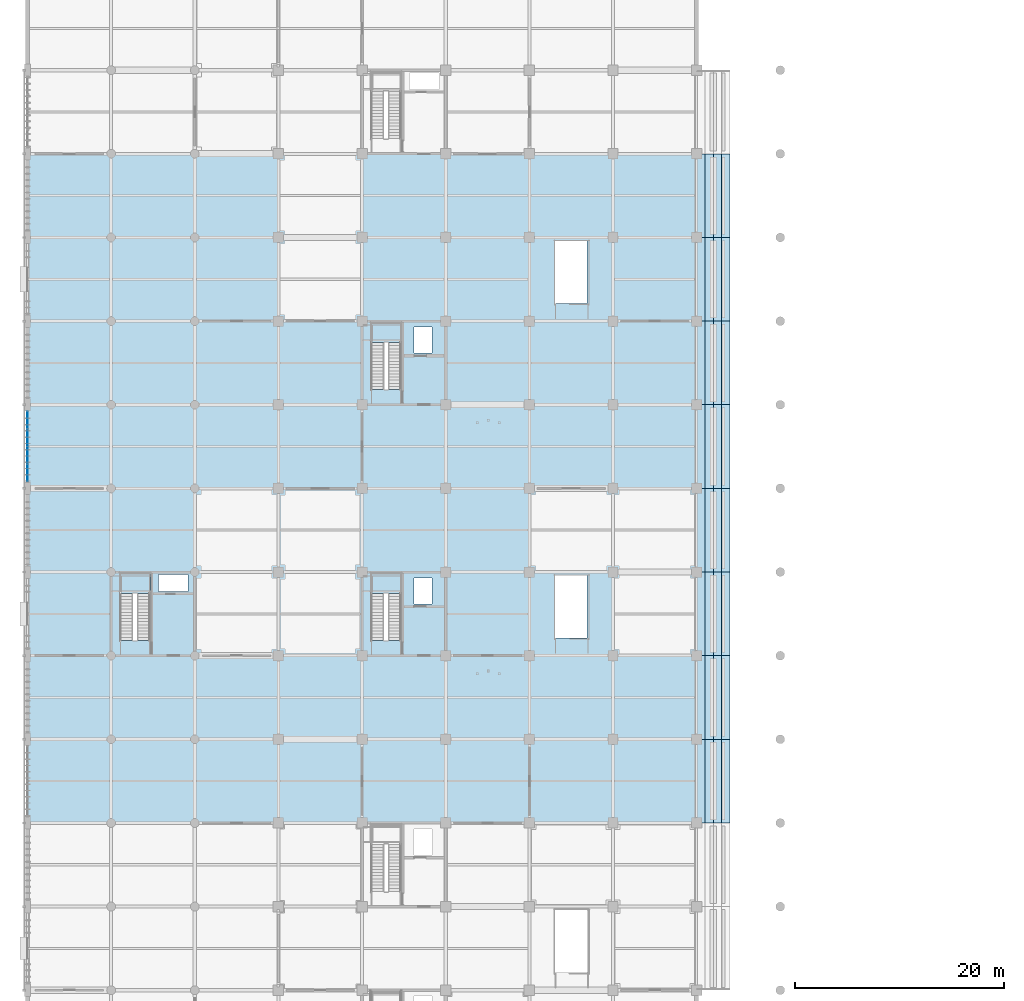
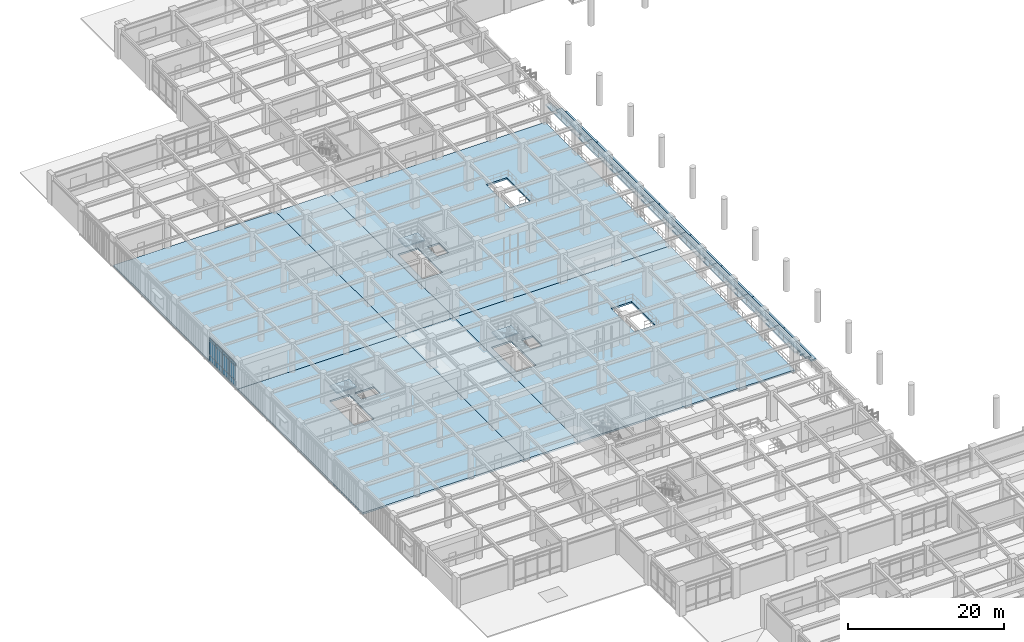
# One storey, part 60 of 117: 41 slabs, 12 plates, 4 elements without a shape of their own.
"""IFC4 building model written with IfcOpenShell, lengths in metres."""

from ifc_helpers import new_model, si_unit, direction, frame, origin, origin_2d, place, context, subcontext, project, spatial, polyline, rectangle, outline, extrude, material, layer, layer_set, type_object, element, aggregate, save


model = new_model("IFC4")

# Units and contexts
model_context = context("Model", 3, precision=1e-05, world=origin(), true_north=direction((0.0, 1.0)))
body_context = subcontext(model_context, "Body", "Model", "MODEL_VIEW")
ifc_project = project(units=[si_unit("LENGTHUNIT", "METRE"), si_unit("AREAUNIT", "SQUARE_METRE"), si_unit("VOLUMEUNIT", "CUBIC_METRE"), si_unit("PLANEANGLEUNIT", "RADIAN"), si_unit("MASSUNIT", "GRAM", prefix="KILO")], contexts=[model_context])

# Site, building, storey
site_placement = place(None, origin())
site = spatial("IfcSite", under=ifc_project, at=site_placement, CompositionType="ELEMENT")
building_placement = place(site_placement, origin())
building = spatial("IfcBuilding", under=site, at=building_placement, Name="Haebicheon Civic Stadium", CompositionType="ELEMENT")
storey_placement = place(building_placement, frame((0.0, 0.0, 4.800048828125)))
storey = spatial("IfcBuildingStorey", under=building, at=storey_placement, Name="L02", CompositionType="ELEMENT", Elevation=4.800048828125)

# Curtain wall, plates
ifc_material_1 = material(Name="Anodised aluminium and laminated glass", Category="aluminium")
ifc_layer_1 = layer(ifc_material_1, 0.179931640625, Name="Anodised aluminium and laminated glass")
ifc_layer_set_1 = layer_set([ifc_layer_1], Name="Anodised aluminium and laminated glass")
curtain_wall_type = type_object("IfcCurtainWallType", Name="CW-6800x3670", PredefinedType="NOTDEFINED", material=ifc_layer_set_1)
curtain_wall_placement = place(storey_placement, origin())
curtain_wall = element("IfcCurtainWall", 1, at=curtain_wall_placement, inside=storey, type_object=curtain_wall_type, material=ifc_layer_set_1, Name="L02 unitised curtain wall 031", PredefinedType="NOTDEFINED")
ifc_material_2 = material(Name="Double low-e laminated glass", Category="glass")
ifc_layer_2 = layer(ifc_material_2, 0.028076171875, Name="Double low-e laminated glass")
ifc_layer_set_2 = layer_set([ifc_layer_2], Name="Double low-e laminated glass")
plate_type_1 = type_object("IfcPlateType", Name="CWP-GLZ-28", PredefinedType="CURTAIN_PANEL", material=ifc_layer_set_2)
plate_1_placement = place(storey_placement, frame((0.0, 97.468017578125, 0.93505859375), z_axis=(0.0, 0.0, 1.0), x_axis=(0.0, 1.0, 0.0)))
plate_1 = element("IfcPlate", 2, at=plate_1_placement, type_object=plate_type_1, material=ifc_layer_set_2, Name="CW-L02-031 vision panel 1.2", PredefinedType="CURTAIN_PANEL", context=body_context, shape_type="SweptSolid", body=[
    extrude(rectangle(XDim=1.594970703125, YDim=0.028076171875, at=origin_2d()), origin(), (0.0, 0.0, 1.0), 2.14990234375),
])
plate_2_placement = place(storey_placement, frame((0.0, 99.14990234375, 0.93505859375), z_axis=(0.0, 0.0, 1.0), x_axis=(0.0, 1.0, 0.0)))
plate_2 = element("IfcPlate", 3, at=plate_2_placement, type_object=plate_type_1, material=ifc_layer_set_2, Name="CW-L02-031 vision panel 2.2", PredefinedType="CURTAIN_PANEL", context=body_context, shape_type="SweptSolid", body=[
    extrude(rectangle(XDim=1.6298828125, YDim=0.028076171875, at=origin_2d()), origin(), (0.0, 0.0, 1.0), 2.14990234375),
])
plate_3_placement = place(storey_placement, frame((0.0, 100.85009765625, 0.93505859375), z_axis=(0.0, 0.0, 1.0), x_axis=(0.0, 1.0, 0.0)))
plate_3 = element("IfcPlate", 4, at=plate_3_placement, type_object=plate_type_1, material=ifc_layer_set_2, Name="CW-L02-031 vision panel 3.2", PredefinedType="CURTAIN_PANEL", context=body_context, shape_type="SweptSolid", body=[
    extrude(rectangle(XDim=1.6298828125, YDim=0.028076171875, at=origin_2d()), origin(), (0.0, 0.0, 1.0), 2.14990234375),
])
plate_4_placement = place(storey_placement, frame((0.0, 102.531982421875, 0.93505859375), z_axis=(0.0, 0.0, 1.0), x_axis=(0.0, 1.0, 0.0)))
plate_4 = element("IfcPlate", 5, at=plate_4_placement, type_object=plate_type_1, material=ifc_layer_set_2, Name="CW-L02-031 vision panel 4.2", PredefinedType="CURTAIN_PANEL", context=body_context, shape_type="SweptSolid", body=[
    extrude(rectangle(XDim=1.594970703125, YDim=0.028076171875, at=origin_2d()), origin(), (0.0, 0.0, 1.0), 2.14990234375),
])
ifc_material_3 = material(Name="Anodised aluminium 6063-T6", Category="aluminium")
ifc_layer_3 = layer(ifc_material_3, 0.053955078125, Name="Anodised aluminium 6063-T6")
ifc_layer_set_3 = layer_set([ifc_layer_3], Name="Anodised aluminium 6063-T6")
plate_type_2 = type_object("IfcPlateType", Name="CWP-SPD-54", PredefinedType="CURTAIN_PANEL", material=ifc_layer_set_3)
plate_5_placement = place(storey_placement, frame((0.0, 97.468017578125, 0.034912109375), z_axis=(0.0, 0.0, 1.0), x_axis=(0.0, 1.0, 0.0)))
plate_5 = element("IfcPlate", 6, at=plate_5_placement, type_object=plate_type_2, material=ifc_layer_set_3, Name="CW-L02-031 spandrel panel 1.1", PredefinedType="CURTAIN_PANEL", context=body_context, shape_type="SweptSolid", body=[
    extrude(rectangle(XDim=1.594970703125, YDim=0.053955078125, at=origin_2d()), origin(), (0.0, 0.0, 1.0), 0.830078125),
])
plate_6_placement = place(storey_placement, frame((0.0, 97.468017578125, 3.155029296875), z_axis=(0.0, 0.0, 1.0), x_axis=(0.0, 1.0, 0.0)))
plate_6 = element("IfcPlate", 7, at=plate_6_placement, type_object=plate_type_2, material=ifc_layer_set_3, Name="CW-L02-031 spandrel panel 1.3", PredefinedType="CURTAIN_PANEL", context=body_context, shape_type="SweptSolid", body=[
    extrude(rectangle(XDim=1.594970703125, YDim=0.053955078125, at=origin_2d()), origin(), (0.0, 0.0, 1.0), 0.47998046875),
])
plate_7_placement = place(storey_placement, frame((0.0, 99.14990234375, 0.034912109375), z_axis=(0.0, 0.0, 1.0), x_axis=(0.0, 1.0, 0.0)))
plate_7 = element("IfcPlate", 8, at=plate_7_placement, type_object=plate_type_2, material=ifc_layer_set_3, Name="CW-L02-031 spandrel panel 2.1", PredefinedType="CURTAIN_PANEL", context=body_context, shape_type="SweptSolid", body=[
    extrude(rectangle(XDim=1.6298828125, YDim=0.053955078125, at=origin_2d()), origin(), (0.0, 0.0, 1.0), 0.830078125),
])
plate_8_placement = place(storey_placement, frame((0.0, 99.14990234375, 3.155029296875), z_axis=(0.0, 0.0, 1.0), x_axis=(0.0, 1.0, 0.0)))
plate_8 = element("IfcPlate", 9, at=plate_8_placement, type_object=plate_type_2, material=ifc_layer_set_3, Name="CW-L02-031 spandrel panel 2.3", PredefinedType="CURTAIN_PANEL", context=body_context, shape_type="SweptSolid", body=[
    extrude(rectangle(XDim=1.6298828125, YDim=0.053955078125, at=origin_2d()), origin(), (0.0, 0.0, 1.0), 0.47998046875),
])
plate_9_placement = place(storey_placement, frame((0.0, 100.85009765625, 0.034912109375), z_axis=(0.0, 0.0, 1.0), x_axis=(0.0, 1.0, 0.0)))
plate_9 = element("IfcPlate", 10, at=plate_9_placement, type_object=plate_type_2, material=ifc_layer_set_3, Name="CW-L02-031 spandrel panel 3.1", PredefinedType="CURTAIN_PANEL", context=body_context, shape_type="SweptSolid", body=[
    extrude(rectangle(XDim=1.6298828125, YDim=0.053955078125, at=origin_2d()), origin(), (0.0, 0.0, 1.0), 0.830078125),
])
plate_10_placement = place(storey_placement, frame((0.0, 100.85009765625, 3.155029296875), z_axis=(0.0, 0.0, 1.0), x_axis=(0.0, 1.0, 0.0)))
plate_10 = element("IfcPlate", 11, at=plate_10_placement, type_object=plate_type_2, material=ifc_layer_set_3, Name="CW-L02-031 spandrel panel 3.3", PredefinedType="CURTAIN_PANEL", context=body_context, shape_type="SweptSolid", body=[
    extrude(rectangle(XDim=1.6298828125, YDim=0.053955078125, at=origin_2d()), origin(), (0.0, 0.0, 1.0), 0.47998046875),
])
plate_11_placement = place(storey_placement, frame((0.0, 102.531982421875, 0.034912109375), z_axis=(0.0, 0.0, 1.0), x_axis=(0.0, 1.0, 0.0)))
plate_11 = element("IfcPlate", 12, at=plate_11_placement, type_object=plate_type_2, material=ifc_layer_set_3, Name="CW-L02-031 spandrel panel 4.1", PredefinedType="CURTAIN_PANEL", context=body_context, shape_type="SweptSolid", body=[
    extrude(rectangle(XDim=1.594970703125, YDim=0.053955078125, at=origin_2d()), origin(), (0.0, 0.0, 1.0), 0.830078125),
])
plate_12_placement = place(storey_placement, frame((0.0, 102.531982421875, 3.155029296875), z_axis=(0.0, 0.0, 1.0), x_axis=(0.0, 1.0, 0.0)))
plate_12 = element("IfcPlate", 13, at=plate_12_placement, type_object=plate_type_2, material=ifc_layer_set_3, Name="CW-L02-031 spandrel panel 4.3", PredefinedType="CURTAIN_PANEL", context=body_context, shape_type="SweptSolid", body=[
    extrude(rectangle(XDim=1.594970703125, YDim=0.053955078125, at=origin_2d()), origin(), (0.0, 0.0, 1.0), 0.47998046875),
])
aggregate(curtain_wall, [plate_5, plate_1, plate_6, plate_7, plate_2, plate_8, plate_9, plate_3, plate_10, plate_11, plate_4, plate_12])

# Slabs
ifc_material_4 = material(Name="Concrete C40/50", Category="concrete")
ifc_layer_4 = layer(ifc_material_4, 0.280029296875, Name="Concrete C40/50")
ifc_layer_set_4 = layer_set([ifc_layer_4], Name="Concrete C40/50")
slab_type_1 = type_object("IfcSlabType", Name="SLB-FLR-280", PredefinedType="FLOOR", material=ifc_layer_set_4)
slab_1_placement = place(storey_placement, frame((0.0, 0.0, -0.280029296875)))
element("IfcSlab", 14, at=slab_1_placement, inside=storey, type_object=slab_type_1, material=ifc_layer_set_4, Name="L02 V1 structural slab 3.1", PredefinedType="FLOOR", context=body_context, shape_type="SweptSolid", body=[
    extrude(outline(polyline([(24.0, 64.0), (24.0, 72.0), (24.0, 80.0), (24.0, 88.0), (24.0, 96.0), (32.0, 96.0), (32.0, 88.0), (32.0, 80.0), (32.0, 72.0), (32.0, 64.0), (24.0, 64.0)])), origin(), (0.0, 0.0, 1.0), 0.280029296875),
])
slab_2_placement = place(storey_placement, frame((0.0, 0.0, -0.280029296875)))
element("IfcSlab", 15, at=slab_2_placement, inside=storey, type_object=slab_type_1, material=ifc_layer_set_4, Name="L02 V1 structural slab 4.1", PredefinedType="FLOOR", context=body_context, shape_type="SweptSolid", body=[
    extrude(outline(polyline([(24.0, 96.0), (24.0, 104.0), (24.0, 112.0), (24.0, 120.0), (24.0, 128.0), (32.0, 128.0), (32.0, 120.0), (32.0, 112.0), (32.0, 104.0), (32.0, 96.0), (24.0, 96.0)])), origin(), (0.0, 0.0, 1.0), 0.280029296875),
])
slab_3_placement = place(storey_placement, frame((0.0, 0.0, -0.280029296875)))
element("IfcSlab", 16, at=slab_3_placement, inside=storey, type_object=slab_type_1, material=ifc_layer_set_4, Name="L02 V1 structural slab 9.1", PredefinedType="FLOOR", context=body_context, shape_type="SweptSolid", body=[
    extrude(outline(polyline([(32.0, 88.0), (32.0, 96.0), (40.0, 96.0), (48.0, 96.0), (56.0, 96.0), (64.0, 96.0), (64.0, 88.0), (64.0, 80.0), (64.0, 72.0), (64.0, 64.0), (56.0, 64.0), (48.0, 64.0), (40.0, 64.0), (32.0, 64.0), (32.0, 72.0), (32.0, 80.0), (32.0, 88.0)]), holes=[polyline([(32.840087890625, 81.4599609375), (35.739990234375, 81.4599609375), (35.739990234375, 87.840087890625), (32.840087890625, 87.840087890625), (32.840087890625, 81.4599609375)]), polyline([(36.969970703125, 84.929931640625), (38.669921875, 84.929931640625), (38.669921875, 87.429931640625), (36.969970703125, 87.429931640625), (36.969970703125, 84.929931640625)]), polyline([(50.4599609375, 81.699951171875), (53.5, 81.699951171875), (53.5, 87.699951171875), (50.4599609375, 87.699951171875), (50.4599609375, 81.699951171875)])]), origin(), (0.0, 0.0, 1.0), 0.280029296875),
])
slab_4_placement = place(storey_placement, frame((0.0, 0.0, -0.280029296875)))
element("IfcSlab", 17, at=slab_4_placement, inside=storey, type_object=slab_type_1, material=ifc_layer_set_4, Name="L02 V1 structural slab 10.1", PredefinedType="FLOOR", context=body_context, shape_type="SweptSolid", body=[
    extrude(outline(polyline([(32.0, 120.0), (32.0, 128.0), (40.0, 128.0), (48.0, 128.0), (56.0, 128.0), (64.0, 128.0), (64.0, 120.0), (64.0, 112.0), (64.0, 104.0), (64.0, 96.0), (56.0, 96.0), (48.0, 96.0), (40.0, 96.0), (32.0, 96.0), (32.0, 104.0), (32.0, 112.0), (32.0, 120.0)]), holes=[polyline([(32.840087890625, 105.4599609375), (35.739990234375, 105.4599609375), (35.739990234375, 111.840087890625), (32.840087890625, 111.840087890625), (32.840087890625, 105.4599609375)]), polyline([(36.969970703125, 108.929931640625), (38.669921875, 108.929931640625), (38.669921875, 111.429931640625), (36.969970703125, 111.429931640625), (36.969970703125, 108.929931640625)]), polyline([(50.4599609375, 113.699951171875), (53.5, 113.699951171875), (53.5, 119.699951171875), (50.4599609375, 119.699951171875), (50.4599609375, 113.699951171875)])]), origin(), (0.0, 0.0, 1.0), 0.280029296875),
])
slab_5_placement = place(storey_placement, frame((0.0, 0.0, -0.280029296875)))
element("IfcSlab", 18, at=slab_5_placement, inside=storey, type_object=slab_type_1, material=ifc_layer_set_4, Name="L02 V5 structural slab 2.1", PredefinedType="FLOOR", context=body_context, shape_type="SweptSolid", body=[
    extrude(outline(polyline([(0.0, 80.0), (0.0, 88.0), (0.0, 96.0), (8.0, 96.0), (16.0, 96.0), (24.0, 96.0), (24.0, 88.0), (24.0, 80.0), (24.0, 72.0), (24.0, 64.0), (16.0, 64.0), (8.0, 64.0), (0.0, 64.0), (0.0, 72.0), (0.0, 80.0)]), holes=[polyline([(8.840087890625, 81.4599609375), (11.739990234375, 81.4599609375), (11.739990234375, 87.840087890625), (8.840087890625, 87.840087890625), (8.840087890625, 81.4599609375)]), polyline([(12.550048828125, 86.14990234375), (15.35009765625, 86.14990234375), (15.35009765625, 87.75), (12.550048828125, 87.75), (12.550048828125, 86.14990234375)])]), origin(), (0.0, 0.0, 1.0), 0.280029296875),
])
slab_6_placement = place(storey_placement, frame((0.0, 0.0, -0.280029296875)))
element("IfcSlab", 19, at=slab_6_placement, inside=storey, type_object=slab_type_1, material=ifc_layer_set_4, Name="L02 V5 structural slab 3.1", PredefinedType="FLOOR", context=body_context, shape_type="SweptSolid", body=[
    extrude(outline(polyline([(0.0, 112.0), (0.0, 120.0), (0.0, 128.0), (8.0, 128.0), (16.0, 128.0), (24.0, 128.0), (24.0, 120.0), (24.0, 112.0), (24.0, 104.0), (24.0, 96.0), (16.0, 96.0), (8.0, 96.0), (0.0, 96.0), (0.0, 104.0), (0.0, 112.0)])), origin(), (0.0, 0.0, 1.0), 0.280029296875),
])

# Stair, slab
ifc_material_5 = material(Name="Concrete C40/50", Category="concrete")
stair_type_1 = type_object("IfcStairType", Name="STR-DL-W126-H48", PredefinedType="HALF_TURN_STAIR", material=ifc_material_5)
stair_1_placement = place(storey_placement, origin())
stair_1 = element("IfcStair", 20, at=stair_1_placement, inside=storey, type_object=stair_type_1, material=ifc_material_5, Name="L02 Escape stair ST-03", PredefinedType="HALF_TURN_STAIR")
ifc_material_6 = material(Name="Concrete C40/50", Category="concrete")
ifc_layer_5 = layer(ifc_material_6, 0.199951171875, Name="Concrete C40/50")
ifc_layer_set_5 = layer_set([ifc_layer_5], Name="Concrete C40/50")
slab_type_2 = type_object("IfcSlabType", Name="SLB-LND-200", PredefinedType="LANDING", material=ifc_layer_set_5)
slab_7_placement = place(storey_placement, frame((0.0, 0.0, 2.199951171875)))
slab_7 = element("IfcSlab", 21, at=slab_7_placement, type_object=slab_type_2, material=ifc_layer_set_5, Name="ST-03 landing 1", PredefinedType="LANDING", context=body_context, shape_type="SweptSolid", body=[
    extrude(outline(polyline([(35.739990234375, 85.949951171875), (35.739990234375, 87.840087890625), (32.840087890625, 87.840087890625), (32.840087890625, 85.949951171875), (35.739990234375, 85.949951171875)])), origin(), (0.0, 0.0, 1.0), 0.199951171875),
])
aggregate(stair_1, [slab_7])

ifc_material_7 = material(Name="Concrete C40/50", Category="concrete")
stair_type_2 = type_object("IfcStairType", Name="STR-DL-W128-H48", PredefinedType="HALF_TURN_STAIR", material=ifc_material_7)
stair_2_placement = place(storey_placement, origin())
stair_2 = element("IfcStair", 22, at=stair_2_placement, inside=storey, type_object=stair_type_2, material=ifc_material_7, Name="L02 Escape stair ST-04", PredefinedType="HALF_TURN_STAIR")
slab_8_placement = place(storey_placement, frame((0.0, 0.0, 2.199951171875)))
slab_8 = element("IfcSlab", 23, at=slab_8_placement, type_object=slab_type_2, material=ifc_layer_set_5, Name="ST-04 landing 1", PredefinedType="LANDING", context=body_context, shape_type="SweptSolid", body=[
    extrude(outline(polyline([(35.739990234375, 109.949951171875), (35.739990234375, 111.840087890625), (32.840087890625, 111.840087890625), (32.840087890625, 109.949951171875), (35.739990234375, 109.949951171875)])), origin(), (0.0, 0.0, 1.0), 0.199951171875),
])
aggregate(stair_2, [slab_8])

stair_3_placement = place(storey_placement, origin())
stair_3 = element("IfcStair", 24, at=stair_3_placement, inside=storey, type_object=stair_type_1, material=ifc_material_5, Name="L02 Escape stair ST-15", PredefinedType="HALF_TURN_STAIR")
slab_9_placement = place(storey_placement, frame((0.0, 0.0, 2.199951171875)))
slab_9 = element("IfcSlab", 25, at=slab_9_placement, type_object=slab_type_2, material=ifc_layer_set_5, Name="ST-15 landing 1", PredefinedType="LANDING", context=body_context, shape_type="SweptSolid", body=[
    extrude(outline(polyline([(11.739990234375, 85.949951171875), (11.739990234375, 87.840087890625), (8.840087890625, 87.840087890625), (8.840087890625, 85.949951171875), (11.739990234375, 85.949951171875)])), origin(), (0.0, 0.0, 1.0), 0.199951171875),
])
aggregate(stair_3, [slab_9])

# Slabs
ifc_material_8 = material(Name="Precast concrete C40/50", Category="concrete")
ifc_layer_6 = layer(ifc_material_8, 0.239990234375, Name="Precast concrete C40/50")
ifc_layer_set_6 = layer_set([ifc_layer_6], Name="Precast concrete C40/50")
slab_type_3 = type_object("IfcSlabType", Name="SLB-TIER-240", PredefinedType="USERDEFINED", material=ifc_layer_set_6)
slab_10_placement = place(storey_placement, frame((0.0, 0.0, 0.427001953125)))
element("IfcSlab", 26, at=slab_10_placement, inside=storey, type_object=slab_type_3, material=ifc_layer_set_6, Name="TIER-W-L precast seating tier bay 3 row-band 7", ObjectType="SEATING TIER", PredefinedType="USERDEFINED", context=body_context, shape_type="SweptSolid", body=[
    extrude(outline(polyline([(66.39990234375, 64.0), (67.199951171875, 64.0), (67.199951171875, 72.0), (66.39990234375, 72.0), (66.39990234375, 64.0)])), origin(), (0.0, 0.0, 1.0), 0.239990234375),
])
slab_11_placement = place(storey_placement, frame((0.0, 0.0, 1.137939453125)))
element("IfcSlab", 27, at=slab_11_placement, inside=storey, type_object=slab_type_3, material=ifc_layer_set_6, Name="TIER-W-L precast seating tier bay 3 row-band 8", ObjectType="SEATING TIER", PredefinedType="USERDEFINED", context=body_context, shape_type="SweptSolid", body=[
    extrude(outline(polyline([(65.60009765625, 64.0), (66.39990234375, 64.0), (66.39990234375, 72.0), (65.60009765625, 72.0), (65.60009765625, 64.0)])), origin(), (0.0, 0.0, 1.0), 0.239990234375),
])
slab_12_placement = place(storey_placement, frame((0.0, 0.0, 1.848876953125)))
element("IfcSlab", 28, at=slab_12_placement, inside=storey, type_object=slab_type_3, material=ifc_layer_set_6, Name="TIER-W-L precast seating tier bay 3 row-band 9", ObjectType="SEATING TIER", PredefinedType="USERDEFINED", context=body_context, shape_type="SweptSolid", body=[
    extrude(outline(polyline([(64.800048828125, 64.0), (65.60009765625, 64.0), (65.60009765625, 72.0), (64.800048828125, 72.0), (64.800048828125, 64.0)])), origin(), (0.0, 0.0, 1.0), 0.239990234375),
])
slab_13_placement = place(storey_placement, frame((0.0, 0.0, 2.56005859375)))
element("IfcSlab", 29, at=slab_13_placement, inside=storey, type_object=slab_type_3, material=ifc_layer_set_6, Name="TIER-W-L precast seating tier bay 3 row-band 10", ObjectType="SEATING TIER", PredefinedType="USERDEFINED", context=body_context, shape_type="SweptSolid", body=[
    extrude(outline(polyline([(64.0, 64.0), (64.800048828125, 64.0), (64.800048828125, 72.0), (64.0, 72.0), (64.0, 64.0)])), origin(), (0.0, 0.0, 1.0), 0.239990234375),
])
slab_14_placement = place(storey_placement, frame((0.0, 0.0, 0.427001953125)))
element("IfcSlab", 30, at=slab_14_placement, inside=storey, type_object=slab_type_3, material=ifc_layer_set_6, Name="TIER-W-L precast seating tier bay 4 row-band 7", ObjectType="SEATING TIER", PredefinedType="USERDEFINED", context=body_context, shape_type="SweptSolid", body=[
    extrude(outline(polyline([(66.39990234375, 72.0), (67.199951171875, 72.0), (67.199951171875, 80.0), (66.39990234375, 80.0), (66.39990234375, 72.0)])), origin(), (0.0, 0.0, 1.0), 0.239990234375),
])
slab_15_placement = place(storey_placement, frame((0.0, 0.0, 1.137939453125)))
element("IfcSlab", 31, at=slab_15_placement, inside=storey, type_object=slab_type_3, material=ifc_layer_set_6, Name="TIER-W-L precast seating tier bay 4 row-band 8", ObjectType="SEATING TIER", PredefinedType="USERDEFINED", context=body_context, shape_type="SweptSolid", body=[
    extrude(outline(polyline([(65.60009765625, 72.0), (66.39990234375, 72.0), (66.39990234375, 80.0), (65.60009765625, 80.0), (65.60009765625, 72.0)])), origin(), (0.0, 0.0, 1.0), 0.239990234375),
])
slab_16_placement = place(storey_placement, frame((0.0, 0.0, 1.848876953125)))
element("IfcSlab", 32, at=slab_16_placement, inside=storey, type_object=slab_type_3, material=ifc_layer_set_6, Name="TIER-W-L precast seating tier bay 4 row-band 9", ObjectType="SEATING TIER", PredefinedType="USERDEFINED", context=body_context, shape_type="SweptSolid", body=[
    extrude(outline(polyline([(64.800048828125, 72.0), (65.60009765625, 72.0), (65.60009765625, 80.0), (64.800048828125, 80.0), (64.800048828125, 72.0)])), origin(), (0.0, 0.0, 1.0), 0.239990234375),
])
slab_17_placement = place(storey_placement, frame((0.0, 0.0, 2.56005859375)))
element("IfcSlab", 33, at=slab_17_placement, inside=storey, type_object=slab_type_3, material=ifc_layer_set_6, Name="TIER-W-L precast seating tier bay 4 row-band 10", ObjectType="SEATING TIER", PredefinedType="USERDEFINED", context=body_context, shape_type="SweptSolid", body=[
    extrude(outline(polyline([(64.0, 72.0), (64.800048828125, 72.0), (64.800048828125, 80.0), (64.0, 80.0), (64.0, 72.0)])), origin(), (0.0, 0.0, 1.0), 0.239990234375),
])
slab_18_placement = place(storey_placement, frame((0.0, 0.0, 0.427001953125)))
element("IfcSlab", 34, at=slab_18_placement, inside=storey, type_object=slab_type_3, material=ifc_layer_set_6, Name="TIER-W-L precast seating tier bay 5 row-band 7", ObjectType="SEATING TIER", PredefinedType="USERDEFINED", context=body_context, shape_type="SweptSolid", body=[
    extrude(outline(polyline([(66.39990234375, 80.0), (67.199951171875, 80.0), (67.199951171875, 88.0), (66.39990234375, 88.0), (66.39990234375, 80.0)])), origin(), (0.0, 0.0, 1.0), 0.239990234375),
])
slab_19_placement = place(storey_placement, frame((0.0, 0.0, 1.137939453125)))
element("IfcSlab", 35, at=slab_19_placement, inside=storey, type_object=slab_type_3, material=ifc_layer_set_6, Name="TIER-W-L precast seating tier bay 5 row-band 8", ObjectType="SEATING TIER", PredefinedType="USERDEFINED", context=body_context, shape_type="SweptSolid", body=[
    extrude(outline(polyline([(65.60009765625, 80.0), (66.39990234375, 80.0), (66.39990234375, 88.0), (65.60009765625, 88.0), (65.60009765625, 80.0)])), origin(), (0.0, 0.0, 1.0), 0.239990234375),
])
slab_20_placement = place(storey_placement, frame((0.0, 0.0, 1.848876953125)))
element("IfcSlab", 36, at=slab_20_placement, inside=storey, type_object=slab_type_3, material=ifc_layer_set_6, Name="TIER-W-L precast seating tier bay 5 row-band 9", ObjectType="SEATING TIER", PredefinedType="USERDEFINED", context=body_context, shape_type="SweptSolid", body=[
    extrude(outline(polyline([(64.800048828125, 80.0), (65.60009765625, 80.0), (65.60009765625, 88.0), (64.800048828125, 88.0), (64.800048828125, 80.0)])), origin(), (0.0, 0.0, 1.0), 0.239990234375),
])
slab_21_placement = place(storey_placement, frame((0.0, 0.0, 2.56005859375)))
element("IfcSlab", 37, at=slab_21_placement, inside=storey, type_object=slab_type_3, material=ifc_layer_set_6, Name="TIER-W-L precast seating tier bay 5 row-band 10", ObjectType="SEATING TIER", PredefinedType="USERDEFINED", context=body_context, shape_type="SweptSolid", body=[
    extrude(outline(polyline([(64.0, 80.0), (64.800048828125, 80.0), (64.800048828125, 88.0), (64.0, 88.0), (64.0, 80.0)])), origin(), (0.0, 0.0, 1.0), 0.239990234375),
])
slab_22_placement = place(storey_placement, frame((0.0, 0.0, 0.427001953125)))
element("IfcSlab", 38, at=slab_22_placement, inside=storey, type_object=slab_type_3, material=ifc_layer_set_6, Name="TIER-W-L precast seating tier bay 6 row-band 7", ObjectType="SEATING TIER", PredefinedType="USERDEFINED", context=body_context, shape_type="SweptSolid", body=[
    extrude(outline(polyline([(66.39990234375, 88.0), (67.199951171875, 88.0), (67.199951171875, 96.0), (66.39990234375, 96.0), (66.39990234375, 88.0)])), origin(), (0.0, 0.0, 1.0), 0.239990234375),
])
slab_23_placement = place(storey_placement, frame((0.0, 0.0, 1.137939453125)))
element("IfcSlab", 39, at=slab_23_placement, inside=storey, type_object=slab_type_3, material=ifc_layer_set_6, Name="TIER-W-L precast seating tier bay 6 row-band 8", ObjectType="SEATING TIER", PredefinedType="USERDEFINED", context=body_context, shape_type="SweptSolid", body=[
    extrude(outline(polyline([(65.60009765625, 88.0), (66.39990234375, 88.0), (66.39990234375, 96.0), (65.60009765625, 96.0), (65.60009765625, 88.0)])), origin(), (0.0, 0.0, 1.0), 0.239990234375),
])
slab_24_placement = place(storey_placement, frame((0.0, 0.0, 1.848876953125)))
element("IfcSlab", 40, at=slab_24_placement, inside=storey, type_object=slab_type_3, material=ifc_layer_set_6, Name="TIER-W-L precast seating tier bay 6 row-band 9", ObjectType="SEATING TIER", PredefinedType="USERDEFINED", context=body_context, shape_type="SweptSolid", body=[
    extrude(outline(polyline([(64.800048828125, 88.0), (65.60009765625, 88.0), (65.60009765625, 96.0), (64.800048828125, 96.0), (64.800048828125, 88.0)])), origin(), (0.0, 0.0, 1.0), 0.239990234375),
])
slab_25_placement = place(storey_placement, frame((0.0, 0.0, 2.56005859375)))
element("IfcSlab", 41, at=slab_25_placement, inside=storey, type_object=slab_type_3, material=ifc_layer_set_6, Name="TIER-W-L precast seating tier bay 6 row-band 10", ObjectType="SEATING TIER", PredefinedType="USERDEFINED", context=body_context, shape_type="SweptSolid", body=[
    extrude(outline(polyline([(64.0, 88.0), (64.800048828125, 88.0), (64.800048828125, 96.0), (64.0, 96.0), (64.0, 88.0)])), origin(), (0.0, 0.0, 1.0), 0.239990234375),
])
slab_26_placement = place(storey_placement, frame((0.0, 0.0, 0.427001953125)))
element("IfcSlab", 42, at=slab_26_placement, inside=storey, type_object=slab_type_3, material=ifc_layer_set_6, Name="TIER-W-L precast seating tier bay 7 row-band 7", ObjectType="SEATING TIER", PredefinedType="USERDEFINED", context=body_context, shape_type="SweptSolid", body=[
    extrude(outline(polyline([(66.39990234375, 96.0), (67.199951171875, 96.0), (67.199951171875, 104.0), (66.39990234375, 104.0), (66.39990234375, 96.0)])), origin(), (0.0, 0.0, 1.0), 0.239990234375),
])
slab_27_placement = place(storey_placement, frame((0.0, 0.0, 1.137939453125)))
element("IfcSlab", 43, at=slab_27_placement, inside=storey, type_object=slab_type_3, material=ifc_layer_set_6, Name="TIER-W-L precast seating tier bay 7 row-band 8", ObjectType="SEATING TIER", PredefinedType="USERDEFINED", context=body_context, shape_type="SweptSolid", body=[
    extrude(outline(polyline([(65.60009765625, 96.0), (66.39990234375, 96.0), (66.39990234375, 104.0), (65.60009765625, 104.0), (65.60009765625, 96.0)])), origin(), (0.0, 0.0, 1.0), 0.239990234375),
])
slab_28_placement = place(storey_placement, frame((0.0, 0.0, 1.848876953125)))
element("IfcSlab", 44, at=slab_28_placement, inside=storey, type_object=slab_type_3, material=ifc_layer_set_6, Name="TIER-W-L precast seating tier bay 7 row-band 9", ObjectType="SEATING TIER", PredefinedType="USERDEFINED", context=body_context, shape_type="SweptSolid", body=[
    extrude(outline(polyline([(64.800048828125, 96.0), (65.60009765625, 96.0), (65.60009765625, 104.0), (64.800048828125, 104.0), (64.800048828125, 96.0)])), origin(), (0.0, 0.0, 1.0), 0.239990234375),
])
slab_29_placement = place(storey_placement, frame((0.0, 0.0, 2.56005859375)))
element("IfcSlab", 45, at=slab_29_placement, inside=storey, type_object=slab_type_3, material=ifc_layer_set_6, Name="TIER-W-L precast seating tier bay 7 row-band 10", ObjectType="SEATING TIER", PredefinedType="USERDEFINED", context=body_context, shape_type="SweptSolid", body=[
    extrude(outline(polyline([(64.0, 96.0), (64.800048828125, 96.0), (64.800048828125, 104.0), (64.0, 104.0), (64.0, 96.0)])), origin(), (0.0, 0.0, 1.0), 0.239990234375),
])
slab_30_placement = place(storey_placement, frame((0.0, 0.0, 0.427001953125)))
element("IfcSlab", 46, at=slab_30_placement, inside=storey, type_object=slab_type_3, material=ifc_layer_set_6, Name="TIER-W-L precast seating tier bay 8 row-band 7", ObjectType="SEATING TIER", PredefinedType="USERDEFINED", context=body_context, shape_type="SweptSolid", body=[
    extrude(outline(polyline([(66.39990234375, 104.0), (67.199951171875, 104.0), (67.199951171875, 112.0), (66.39990234375, 112.0), (66.39990234375, 104.0)])), origin(), (0.0, 0.0, 1.0), 0.239990234375),
])
slab_31_placement = place(storey_placement, frame((0.0, 0.0, 1.137939453125)))
element("IfcSlab", 47, at=slab_31_placement, inside=storey, type_object=slab_type_3, material=ifc_layer_set_6, Name="TIER-W-L precast seating tier bay 8 row-band 8", ObjectType="SEATING TIER", PredefinedType="USERDEFINED", context=body_context, shape_type="SweptSolid", body=[
    extrude(outline(polyline([(65.60009765625, 104.0), (66.39990234375, 104.0), (66.39990234375, 112.0), (65.60009765625, 112.0), (65.60009765625, 104.0)])), origin(), (0.0, 0.0, 1.0), 0.239990234375),
])
slab_32_placement = place(storey_placement, frame((0.0, 0.0, 1.848876953125)))
element("IfcSlab", 48, at=slab_32_placement, inside=storey, type_object=slab_type_3, material=ifc_layer_set_6, Name="TIER-W-L precast seating tier bay 8 row-band 9", ObjectType="SEATING TIER", PredefinedType="USERDEFINED", context=body_context, shape_type="SweptSolid", body=[
    extrude(outline(polyline([(64.800048828125, 104.0), (65.60009765625, 104.0), (65.60009765625, 112.0), (64.800048828125, 112.0), (64.800048828125, 104.0)])), origin(), (0.0, 0.0, 1.0), 0.239990234375),
])
slab_33_placement = place(storey_placement, frame((0.0, 0.0, 2.56005859375)))
element("IfcSlab", 49, at=slab_33_placement, inside=storey, type_object=slab_type_3, material=ifc_layer_set_6, Name="TIER-W-L precast seating tier bay 8 row-band 10", ObjectType="SEATING TIER", PredefinedType="USERDEFINED", context=body_context, shape_type="SweptSolid", body=[
    extrude(outline(polyline([(64.0, 104.0), (64.800048828125, 104.0), (64.800048828125, 112.0), (64.0, 112.0), (64.0, 104.0)])), origin(), (0.0, 0.0, 1.0), 0.239990234375),
])
slab_34_placement = place(storey_placement, frame((0.0, 0.0, 0.427001953125)))
element("IfcSlab", 50, at=slab_34_placement, inside=storey, type_object=slab_type_3, material=ifc_layer_set_6, Name="TIER-W-L precast seating tier bay 9 row-band 7", ObjectType="SEATING TIER", PredefinedType="USERDEFINED", context=body_context, shape_type="SweptSolid", body=[
    extrude(outline(polyline([(66.39990234375, 112.0), (67.199951171875, 112.0), (67.199951171875, 120.0), (66.39990234375, 120.0), (66.39990234375, 112.0)])), origin(), (0.0, 0.0, 1.0), 0.239990234375),
])
slab_35_placement = place(storey_placement, frame((0.0, 0.0, 1.137939453125)))
element("IfcSlab", 51, at=slab_35_placement, inside=storey, type_object=slab_type_3, material=ifc_layer_set_6, Name="TIER-W-L precast seating tier bay 9 row-band 8", ObjectType="SEATING TIER", PredefinedType="USERDEFINED", context=body_context, shape_type="SweptSolid", body=[
    extrude(outline(polyline([(65.60009765625, 112.0), (66.39990234375, 112.0), (66.39990234375, 120.0), (65.60009765625, 120.0), (65.60009765625, 112.0)])), origin(), (0.0, 0.0, 1.0), 0.239990234375),
])
slab_36_placement = place(storey_placement, frame((0.0, 0.0, 1.848876953125)))
element("IfcSlab", 52, at=slab_36_placement, inside=storey, type_object=slab_type_3, material=ifc_layer_set_6, Name="TIER-W-L precast seating tier bay 9 row-band 9", ObjectType="SEATING TIER", PredefinedType="USERDEFINED", context=body_context, shape_type="SweptSolid", body=[
    extrude(outline(polyline([(64.800048828125, 112.0), (65.60009765625, 112.0), (65.60009765625, 120.0), (64.800048828125, 120.0), (64.800048828125, 112.0)])), origin(), (0.0, 0.0, 1.0), 0.239990234375),
])
slab_37_placement = place(storey_placement, frame((0.0, 0.0, 2.56005859375)))
element("IfcSlab", 53, at=slab_37_placement, inside=storey, type_object=slab_type_3, material=ifc_layer_set_6, Name="TIER-W-L precast seating tier bay 9 row-band 10", ObjectType="SEATING TIER", PredefinedType="USERDEFINED", context=body_context, shape_type="SweptSolid", body=[
    extrude(outline(polyline([(64.0, 112.0), (64.800048828125, 112.0), (64.800048828125, 120.0), (64.0, 120.0), (64.0, 112.0)])), origin(), (0.0, 0.0, 1.0), 0.239990234375),
])
slab_38_placement = place(storey_placement, frame((0.0, 0.0, 0.427001953125)))
element("IfcSlab", 54, at=slab_38_placement, inside=storey, type_object=slab_type_3, material=ifc_layer_set_6, Name="TIER-W-L precast seating tier bay 10 row-band 7", ObjectType="SEATING TIER", PredefinedType="USERDEFINED", context=body_context, shape_type="SweptSolid", body=[
    extrude(outline(polyline([(66.39990234375, 120.0), (67.199951171875, 120.0), (67.199951171875, 128.0), (66.39990234375, 128.0), (66.39990234375, 120.0)])), origin(), (0.0, 0.0, 1.0), 0.239990234375),
])
slab_39_placement = place(storey_placement, frame((0.0, 0.0, 1.137939453125)))
element("IfcSlab", 55, at=slab_39_placement, inside=storey, type_object=slab_type_3, material=ifc_layer_set_6, Name="TIER-W-L precast seating tier bay 10 row-band 8", ObjectType="SEATING TIER", PredefinedType="USERDEFINED", context=body_context, shape_type="SweptSolid", body=[
    extrude(outline(polyline([(65.60009765625, 120.0), (66.39990234375, 120.0), (66.39990234375, 128.0), (65.60009765625, 128.0), (65.60009765625, 120.0)])), origin(), (0.0, 0.0, 1.0), 0.239990234375),
])
slab_40_placement = place(storey_placement, frame((0.0, 0.0, 1.848876953125)))
element("IfcSlab", 56, at=slab_40_placement, inside=storey, type_object=slab_type_3, material=ifc_layer_set_6, Name="TIER-W-L precast seating tier bay 10 row-band 9", ObjectType="SEATING TIER", PredefinedType="USERDEFINED", context=body_context, shape_type="SweptSolid", body=[
    extrude(outline(polyline([(64.800048828125, 120.0), (65.60009765625, 120.0), (65.60009765625, 128.0), (64.800048828125, 128.0), (64.800048828125, 120.0)])), origin(), (0.0, 0.0, 1.0), 0.239990234375),
])
slab_41_placement = place(storey_placement, frame((0.0, 0.0, 2.56005859375)))
element("IfcSlab", 57, at=slab_41_placement, inside=storey, type_object=slab_type_3, material=ifc_layer_set_6, Name="TIER-W-L precast seating tier bay 10 row-band 10", ObjectType="SEATING TIER", PredefinedType="USERDEFINED", context=body_context, shape_type="SweptSolid", body=[
    extrude(outline(polyline([(64.0, 120.0), (64.800048828125, 120.0), (64.800048828125, 128.0), (64.0, 128.0), (64.0, 120.0)])), origin(), (0.0, 0.0, 1.0), 0.239990234375),
])

save(model, "model.ifc")
